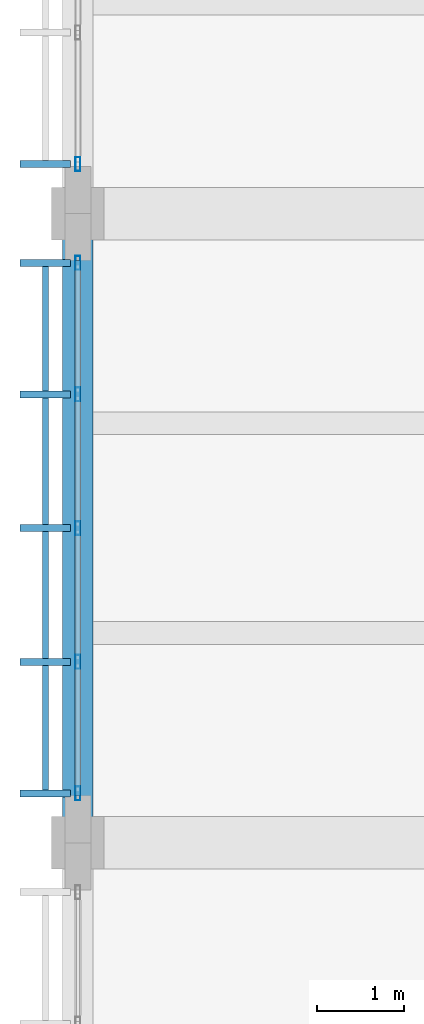
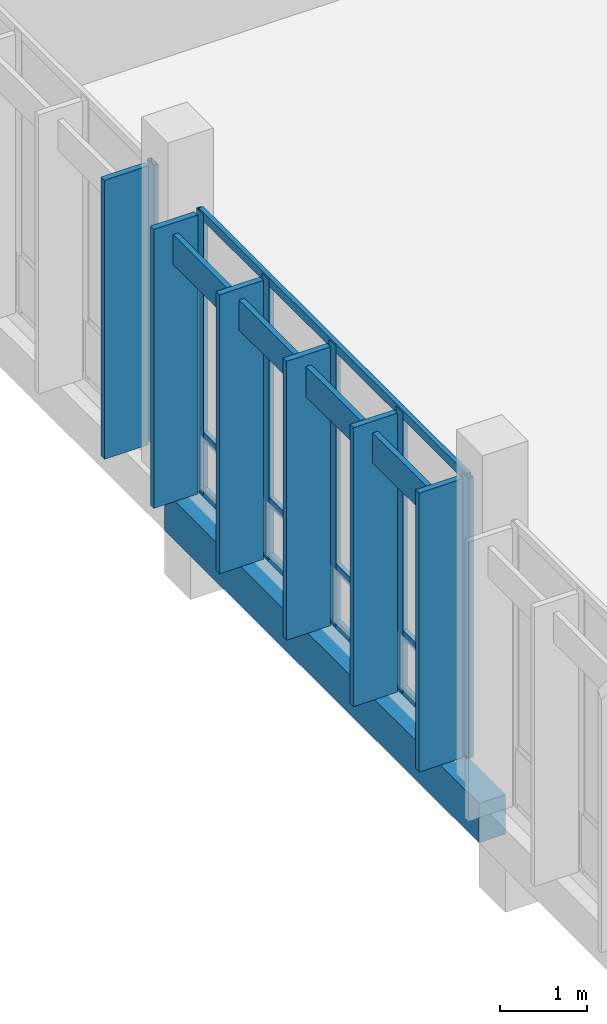
# One storey, part 14 of 177: 16 members, 1 beam, 2 elements without a shape of their own.
"""IFC4 building model written with IfcOpenShell, lengths in metres."""

from ifc_helpers import new_model, si_unit, direction, frame, origin, origin_2d, place, context, subcontext, project, spatial, rectangle, hollow_rectangle, extrude, material, material_profile, profile_set, type_object, element, aggregate, save


model = new_model("IFC4")

# Units and contexts
model_context = context("Model", 3, precision=1e-05, world=origin(), true_north=direction((0.0, 1.0)))
body_context = subcontext(model_context, "Body", "Model", "MODEL_VIEW")
ifc_project = project(units=[si_unit("LENGTHUNIT", "METRE"), si_unit("AREAUNIT", "SQUARE_METRE"), si_unit("VOLUMEUNIT", "CUBIC_METRE"), si_unit("PLANEANGLEUNIT", "RADIAN"), si_unit("MASSUNIT", "GRAM", prefix="KILO")], contexts=[model_context])

# Site, building, storey
site_placement = place(None, origin())
site = spatial("IfcSite", under=ifc_project, at=site_placement, CompositionType="ELEMENT")
building_placement = place(site_placement, origin())
building = spatial("IfcBuilding", under=site, at=building_placement, Name="Chiffa Square Polytechnic", CompositionType="ELEMENT")
storey_placement = place(building_placement, frame((0.0, 0.0, 4.800048828125)))
storey = spatial("IfcBuildingStorey", under=building, at=storey_placement, Name="L01", CompositionType="ELEMENT", Elevation=4.800048828125)

# Beam
ifc_material_1 = material(Name="Concrete C35/45", Category="concrete")
ifc_material_profile_1 = material_profile(ifc_material_1, rectangle(XDim=0.35009765625, YDim=0.550048828125, at=origin_2d()), Name="RC 350x550")
ifc_profile_set_1 = profile_set([ifc_material_profile_1], Name="Concrete C35/45")
beam_type = type_object("IfcBeamType", Name="BM-RC-350X550", PredefinedType="BEAM", material=ifc_profile_set_1)
beam_placement = place(storey_placement, frame((0.0, 7.199951171875, -0.554931640625), z_axis=(0.0, 1.0, 0.0), x_axis=(-1.0, 0.0, 0.0)))
element("IfcBeam", 1, at=beam_placement, inside=storey, type_object=beam_type, Name="Primary floor girder BM-V3-L01-Y-0000-0072", PredefinedType="BEAM", context=body_context, shape_type="SweptSolid", body=[
    extrude(rectangle(XDim=0.35009765625, YDim=0.550048828125, at=origin_2d()), origin(), (0.0, 0.0, 1.0), 7.199951171875),
])

# Curtain wall, member
ifc_material_2 = material(Name="Aluminium EN AW-6060 T66 and glulam shading", Category="wood")
curtain_wall_type_1 = type_object("IfcCurtainWallType", Name="CW-VERT-450X380", PredefinedType="USERDEFINED", material=ifc_material_2)
curtain_wall_1_placement = place(storey_placement, origin())
curtain_wall_1 = element("IfcCurtainWall", 2, at=curtain_wall_1_placement, inside=storey, type_object=curtain_wall_type_1, Name="Curtain wall CW-V3-L01-162", ObjectType="CURTAIN WALL", PredefinedType="USERDEFINED")
ifc_material_3 = material(Name="Aluminium EN AW-6060 T66", Category="aluminium")
ifc_material_profile_2 = material_profile(ifc_material_3, hollow_rectangle(XDim=0.06005859375, YDim=0.159912109375, WallThickness=0.00390625, at=origin_2d()), Name="ALU 60x160x4")
ifc_profile_set_2 = profile_set([ifc_material_profile_2], Name="Aluminium EN AW-6060 T66")
member_type_1 = type_object("IfcMemberType", Name="CWM-ALU-65X150", PredefinedType="MULLION", material=ifc_profile_set_2)
member_1_placement = place(storey_placement, frame((0.0, 14.965087890625, 0.0), z_axis=(0.0, 0.0, 1.0), x_axis=(1.0, 0.0, 0.0)))
member_1 = element("IfcMember", 3, at=member_1_placement, type_object=member_type_1, Name="Curtain wall mullion CW-V3-L01-162-M04", PredefinedType="MULLION", context=body_context, shape_type="SweptSolid", body=[
    extrude(hollow_rectangle(XDim=0.06005859375, YDim=0.159912109375, WallThickness=0.00390625, at=origin_2d()), origin(), (0.0, 0.0, 1.0), 3.9150390625),
])

# Curtain wall, members
curtain_wall_type_2 = type_object("IfcCurtainWallType", Name="CW-VERT-300X380", PredefinedType="USERDEFINED", material=ifc_material_2)
curtain_wall_2_placement = place(storey_placement, origin())
curtain_wall_2 = element("IfcCurtainWall", 4, at=curtain_wall_2_placement, inside=storey, type_object=curtain_wall_type_2, Name="Curtain wall CW-V3-L01-163", ObjectType="CURTAIN WALL", PredefinedType="USERDEFINED")
member_2_placement = place(storey_placement, frame((0.0, 13.8349609375, 0.0), z_axis=(0.0, 0.0, 1.0), x_axis=(1.0, 0.0, 0.0)))
member_2 = element("IfcMember", 5, at=member_2_placement, type_object=member_type_1, Name="Curtain wall mullion CW-V3-L01-163-M00", PredefinedType="MULLION", context=body_context, shape_type="SweptSolid", body=[
    extrude(hollow_rectangle(XDim=0.06005859375, YDim=0.159912109375, WallThickness=0.00390625, at=origin_2d()), origin(), (0.0, 0.0, 1.0), 3.9150390625),
])
member_3_placement = place(storey_placement, frame((0.0, 12.330078125, 0.0), z_axis=(0.0, 0.0, 1.0), x_axis=(1.0, 0.0, 0.0)))
member_3 = element("IfcMember", 6, at=member_3_placement, type_object=member_type_1, Name="Curtain wall mullion CW-V3-L01-163-M01", PredefinedType="MULLION", context=body_context, shape_type="SweptSolid", body=[
    extrude(hollow_rectangle(XDim=0.06005859375, YDim=0.159912109375, WallThickness=0.00390625, at=origin_2d()), origin(), (0.0, 0.0, 1.0), 3.9150390625),
])
member_4_placement = place(storey_placement, frame((0.0, 10.800048828125, 0.0), z_axis=(0.0, 0.0, 1.0), x_axis=(1.0, 0.0, 0.0)))
member_4 = element("IfcMember", 7, at=member_4_placement, type_object=member_type_1, Name="Curtain wall mullion CW-V3-L01-163-M02", PredefinedType="MULLION", context=body_context, shape_type="SweptSolid", body=[
    extrude(hollow_rectangle(XDim=0.06005859375, YDim=0.159912109375, WallThickness=0.00390625, at=origin_2d()), origin(), (0.0, 0.0, 1.0), 3.9150390625),
])
member_5_placement = place(storey_placement, frame((0.0, 9.27001953125, 0.0), z_axis=(0.0, 0.0, 1.0), x_axis=(1.0, 0.0, 0.0)))
member_5 = element("IfcMember", 8, at=member_5_placement, type_object=member_type_1, Name="Curtain wall mullion CW-V3-L01-163-M03", PredefinedType="MULLION", context=body_context, shape_type="SweptSolid", body=[
    extrude(hollow_rectangle(XDim=0.06005859375, YDim=0.159912109375, WallThickness=0.00390625, at=origin_2d()), origin(), (0.0, 0.0, 1.0), 3.9150390625),
])
member_6_placement = place(storey_placement, frame((0.0, 7.764892578125, 0.0), z_axis=(0.0, 0.0, 1.0), x_axis=(1.0, 0.0, 0.0)))
member_6 = element("IfcMember", 9, at=member_6_placement, type_object=member_type_1, Name="Curtain wall mullion CW-V3-L01-163-M04", PredefinedType="MULLION", context=body_context, shape_type="SweptSolid", body=[
    extrude(hollow_rectangle(XDim=0.06005859375, YDim=0.159912109375, WallThickness=0.00390625, at=origin_2d()), origin(), (0.0, 0.0, 1.0), 3.9150390625),
])

# Member
ifc_material_4 = material(Name="Glulam GL28h", Category="wood")
ifc_material_profile_3 = material_profile(ifc_material_4, rectangle(XDim=0.080078125, YDim=0.580078125, at=origin_2d()), Name="GL28h 80x580")
ifc_profile_set_3 = profile_set([ifc_material_profile_3], Name="Glulam GL28h")
member_type_2 = type_object("IfcMemberType", Name="CWM-GL-80X580", PredefinedType="MULLION", material=ifc_profile_set_3)
member_7_placement = place(storey_placement, frame((-0.3720703125, 14.965087890625, 0.010009765625), z_axis=(0.0, 0.0, 1.0), x_axis=(0.0, -1.0, 0.0)))
member_7 = element("IfcMember", 10, at=member_7_placement, type_object=member_type_2, Name="Exterior glulam solar fin CW-V3-L01-162-FN04", PredefinedType="MULLION", context=body_context, shape_type="SweptSolid", body=[
    extrude(rectangle(XDim=0.080078125, YDim=0.580078125, at=origin_2d()), origin(), (0.0, 0.0, 1.0), 3.89501953125),
])

aggregate(curtain_wall_1, [member_1, member_7])

member_8_placement = place(storey_placement, frame((-0.3720703125, 13.8349609375, 0.010009765625), z_axis=(0.0, 0.0, 1.0), x_axis=(0.0, -1.0, 0.0)))
member_8 = element("IfcMember", 11, at=member_8_placement, type_object=member_type_2, Name="Exterior glulam solar fin CW-V3-L01-163-FN00", PredefinedType="MULLION", context=body_context, shape_type="SweptSolid", body=[
    extrude(rectangle(XDim=0.080078125, YDim=0.580078125, at=origin_2d()), origin(), (0.0, 0.0, 1.0), 3.89501953125),
])

member_9_placement = place(storey_placement, frame((-0.3720703125, 12.330078125, 0.010009765625), z_axis=(0.0, 0.0, 1.0), x_axis=(0.0, -1.0, 0.0)))
member_9 = element("IfcMember", 12, at=member_9_placement, type_object=member_type_2, Name="Exterior glulam solar fin CW-V3-L01-163-FN01", PredefinedType="MULLION", context=body_context, shape_type="SweptSolid", body=[
    extrude(rectangle(XDim=0.080078125, YDim=0.580078125, at=origin_2d()), origin(), (0.0, 0.0, 1.0), 3.89501953125),
])

member_10_placement = place(storey_placement, frame((-0.3720703125, 10.800048828125, 0.010009765625), z_axis=(0.0, 0.0, 1.0), x_axis=(0.0, -1.0, 0.0)))
member_10 = element("IfcMember", 13, at=member_10_placement, type_object=member_type_2, Name="Exterior glulam solar fin CW-V3-L01-163-FN02", PredefinedType="MULLION", context=body_context, shape_type="SweptSolid", body=[
    extrude(rectangle(XDim=0.080078125, YDim=0.580078125, at=origin_2d()), origin(), (0.0, 0.0, 1.0), 3.89501953125),
])

member_11_placement = place(storey_placement, frame((-0.3720703125, 9.27001953125, 0.010009765625), z_axis=(0.0, 0.0, 1.0), x_axis=(0.0, -1.0, 0.0)))
member_11 = element("IfcMember", 14, at=member_11_placement, type_object=member_type_2, Name="Exterior glulam solar fin CW-V3-L01-163-FN03", PredefinedType="MULLION", context=body_context, shape_type="SweptSolid", body=[
    extrude(rectangle(XDim=0.080078125, YDim=0.580078125, at=origin_2d()), origin(), (0.0, 0.0, 1.0), 3.89501953125),
])

member_12_placement = place(storey_placement, frame((-0.3720703125, 7.764892578125, 0.010009765625), z_axis=(0.0, 0.0, 1.0), x_axis=(0.0, -1.0, 0.0)))
member_12 = element("IfcMember", 15, at=member_12_placement, type_object=member_type_2, Name="Exterior glulam solar fin CW-V3-L01-163-FN04", PredefinedType="MULLION", context=body_context, shape_type="SweptSolid", body=[
    extrude(rectangle(XDim=0.080078125, YDim=0.580078125, at=origin_2d()), origin(), (0.0, 0.0, 1.0), 3.89501953125),
])

ifc_material_profile_4 = material_profile(ifc_material_3, hollow_rectangle(XDim=0.06005859375, YDim=0.1201171875, WallThickness=0.00390625, at=origin_2d()), Name="ALU 60x120x4")
ifc_profile_set_4 = profile_set([ifc_material_profile_4], Name="Aluminium EN AW-6060 T66")
member_type_3 = type_object("IfcMemberType", Name="CWT-ALU-65X120", PredefinedType="USERDEFINED", material=ifc_profile_set_4)
member_13_placement = place(storey_placement, frame((0.0, 13.862060546875, 0.030029296875), z_axis=(0.0, -1.0, 0.0), x_axis=(1.0, 0.0, 0.0)))
member_13 = element("IfcMember", 16, at=member_13_placement, type_object=member_type_3, Name="Curtain wall transom CW-V3-L01-163-T01", ObjectType="TRANSOM", PredefinedType="USERDEFINED", context=body_context, shape_type="SweptSolid", body=[
    extrude(hollow_rectangle(XDim=0.06005859375, YDim=0.1201171875, WallThickness=0.00390625, at=origin_2d()), origin(), (0.0, 0.0, 1.0), 6.1240234375),
])

member_14_placement = place(storey_placement, frame((0.0, 13.862060546875, 0.820068359375), z_axis=(0.0, -1.0, 0.0), x_axis=(1.0, 0.0, 0.0)))
member_14 = element("IfcMember", 17, at=member_14_placement, type_object=member_type_3, Name="Curtain wall transom CW-V3-L01-163-T02", ObjectType="TRANSOM", PredefinedType="USERDEFINED", context=body_context, shape_type="SweptSolid", body=[
    extrude(hollow_rectangle(XDim=0.06005859375, YDim=0.1201171875, WallThickness=0.00390625, at=origin_2d()), origin(), (0.0, 0.0, 1.0), 6.1240234375),
])

member_15_placement = place(storey_placement, frame((0.0, 13.862060546875, 3.885009765625), z_axis=(0.0, -1.0, 0.0), x_axis=(1.0, 0.0, 0.0)))
member_15 = element("IfcMember", 18, at=member_15_placement, type_object=member_type_3, Name="Curtain wall transom CW-V3-L01-163-T03", ObjectType="TRANSOM", PredefinedType="USERDEFINED", context=body_context, shape_type="SweptSolid", body=[
    extrude(hollow_rectangle(XDim=0.06005859375, YDim=0.1201171875, WallThickness=0.00390625, at=origin_2d()), origin(), (0.0, 0.0, 1.0), 6.1240234375),
])

ifc_material_profile_5 = material_profile(ifc_material_4, rectangle(XDim=0.070068359375, YDim=0.419921875, at=origin_2d()), Name="GL28h 70x420")
ifc_profile_set_5 = profile_set([ifc_material_profile_5], Name="Glulam GL28h")
member_type_4 = type_object("IfcMemberType", Name="CWT-GL-70X420", PredefinedType="USERDEFINED", material=ifc_profile_set_5)
member_16_placement = place(storey_placement, frame((-0.3720703125, 13.8349609375, 3.534912109375), z_axis=(0.0, -1.0, 0.0), x_axis=(1.0, 0.0, 0.0)))
member_16 = element("IfcMember", 19, at=member_16_placement, type_object=member_type_4, Name="Exterior glulam brise-soleil CW-V3-L01-163-BS01", ObjectType="TRANSOM", PredefinedType="USERDEFINED", context=body_context, shape_type="SweptSolid", body=[
    extrude(rectangle(XDim=0.070068359375, YDim=0.419921875, at=origin_2d()), origin(), (0.0, 0.0, 1.0), 6.070068359375),
])

aggregate(curtain_wall_2, [member_2, member_8, member_3, member_9, member_4, member_10, member_5, member_11, member_6, member_12, member_13, member_14, member_15, member_16])

save(model, "model.ifc")
